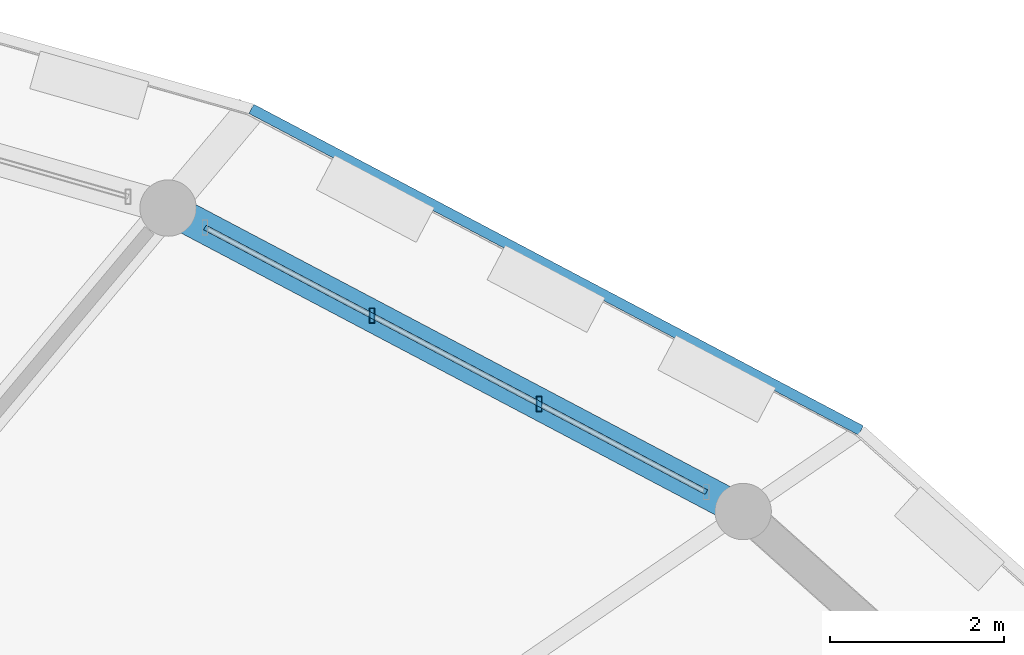
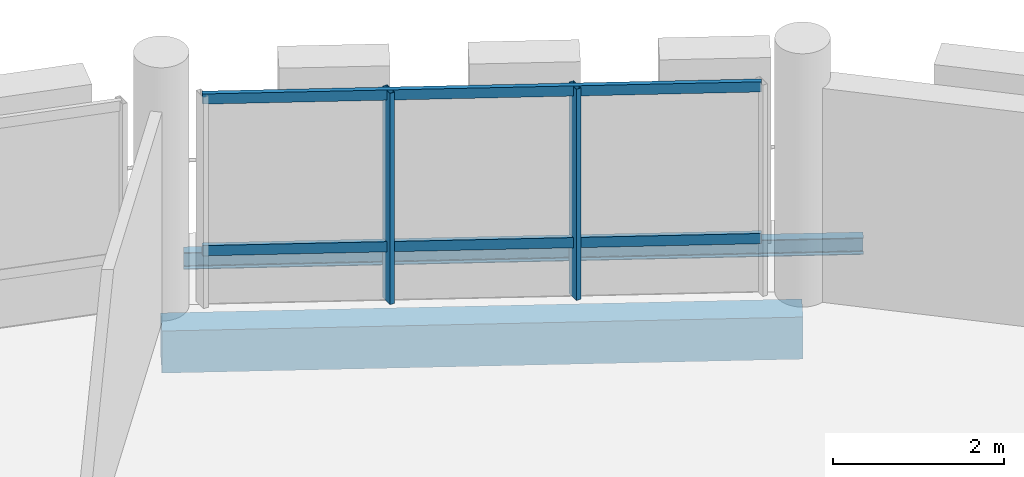
# One storey, part 50 of 93: 4 members, 2 beams, 1 element without a shape of its own.
"""IFC4 building model written with IfcOpenShell, lengths in metres."""

from ifc_helpers import new_model, si_unit, direction, frame, origin, origin_2d, place, context, subcontext, project, spatial, rectangle, hollow_rectangle, i_section, extrude, material, material_profile, profile_set, type_object, element, aggregate, save


model = new_model("IFC4")

# Units and contexts
model_context = context("Model", 3, precision=1e-05, world=origin(), true_north=direction((0.0, 1.0)))
body_context = subcontext(model_context, "Body", "Model", "MODEL_VIEW")
ifc_project = project(units=[si_unit("LENGTHUNIT", "METRE"), si_unit("AREAUNIT", "SQUARE_METRE"), si_unit("VOLUMEUNIT", "CUBIC_METRE"), si_unit("PLANEANGLEUNIT", "RADIAN"), si_unit("MASSUNIT", "GRAM", prefix="KILO")], contexts=[model_context])

# Site, building, storey
site_placement = place(None, origin())
site = spatial("IfcSite", under=ifc_project, at=site_placement, CompositionType="ELEMENT")
building_placement = place(site_placement, origin())
building = spatial("IfcBuilding", under=site, at=building_placement, Name="Zornivar Specialist Clinic", CompositionType="ELEMENT")
storey_placement = place(building_placement, frame((0.0, 0.0, 8.39990234375)))
storey = spatial("IfcBuildingStorey", under=building, at=storey_placement, Name="L02", CompositionType="ELEMENT", Elevation=8.39990234375)

# Beams
ifc_material_1 = material(Name="Concrete C30/37", Category="concrete")
ifc_material_profile_1 = material_profile(ifc_material_1, rectangle(XDim=0.3701171875, YDim=0.60009765625, at=origin_2d()), Name="RC 370x600")
ifc_profile_set_1 = profile_set([ifc_material_profile_1], Name="Concrete C30/37")
beam_type_1 = type_object("IfcBeamType", Name="BM-RC-SPANDREL-370x600", PredefinedType="SPANDREL", material=ifc_profile_set_1)
beam_1_placement = place(storey_placement, frame((116.22705078125, 73.156005859375, -0.539794921875), z_axis=(-0.884411650878, 0.466707651311, 0.0), x_axis=(-0.466707651311, -0.884411650878, 0.0)))
element("IfcBeam", 1, at=beam_1_placement, inside=storey, type_object=beam_type_1, Name="bm:V1:L02:outring:03", PredefinedType="SPANDREL", context=body_context, shape_type="SweptSolid", body=[
    extrude(rectangle(XDim=0.3701171875, YDim=0.60009765625, at=origin_2d()), origin(), (0.0, 0.0, 1.0), 7.4931640625),
])
ifc_material_2 = material(Name="Steel S355J2", Category="steel")
ifc_material_profile_2 = material_profile(ifc_material_2, i_section(OverallWidth=0.1201171875, OverallDepth=0.239990234375, WebThickness=0.006103515625, FlangeThickness=0.009765625, FilletRadius=0.014892578125, at=origin_2d()), Name="IPE 240")
ifc_profile_set_2 = profile_set([ifc_material_profile_2], Name="Steel S355J2")
beam_type_2 = type_object("IfcBeamType", Name="BM-STL-IPE240", PredefinedType="JOIST", material=ifc_profile_set_2)
beam_2_placement = place(storey_placement, frame((117.5849609375, 74.090087890625, -0.35986328125), z_axis=(-0.884477081674, 0.466583638797, 0.0), x_axis=(-0.466583638797, -0.884477081674, 0.0)))
element("IfcBeam", 2, at=beam_2_placement, inside=storey, type_object=beam_type_2, Name="bm:V1:L02:balring:03", PredefinedType="JOIST", context=body_context, shape_type="SweptSolid", body=[
    extrude(i_section(OverallWidth=0.1201171875, OverallDepth=0.239990234375, WebThickness=0.006103515625, FlangeThickness=0.009765625, FilletRadius=0.014892578125, at=origin_2d()), origin(), (0.0, 0.0, 1.0), 7.9423828125),
])

# Curtain wall, members
ifc_material_3 = material(Name="Aluminium and Low-E Glass Curtain Wall", Category="aluminium")
curtain_wall_type = type_object("IfcCurtainWallType", Name="CW-DRUM-FACET", PredefinedType="NOTDEFINED", material=ifc_material_3)
curtain_wall_placement = place(storey_placement, origin())
curtain_wall = element("IfcCurtainWall", 3, at=curtain_wall_placement, inside=storey, type_object=curtain_wall_type, Name="cw:V1:L02:c03", PredefinedType="NOTDEFINED")
ifc_material_4 = material(Name="Aluminium AW-6060", Category="aluminium")
ifc_material_profile_3 = material_profile(ifc_material_4, hollow_rectangle(XDim=0.06494140625, YDim=0.175048828125, WallThickness=0.00439453125, at=origin_2d()), Name="ALU 65x175x4.5")
ifc_profile_set_3 = profile_set([ifc_material_profile_3], Name="Aluminium AW-6060")
member_type_1 = type_object("IfcMemberType", Name="CWM-MUL-175", PredefinedType="MULLION", material=ifc_profile_set_3)
member_1_placement = place(storey_placement, frame((113.8759765625, 74.39599609375, 0.0), z_axis=(0.0, 0.0, 1.0), x_axis=(1.0, 0.0, 0.0)))
member_1 = element("IfcMember", 4, at=member_1_placement, type_object=member_type_1, Name="cw:V1:L02:c03:mul:1", PredefinedType="MULLION", context=body_context, shape_type="SweptSolid", body=[
    extrude(hollow_rectangle(XDim=0.06494140625, YDim=0.175048828125, WallThickness=0.00439453125, at=origin_2d()), origin(), (0.0, 0.0, 1.0), 3.010009765625),
])
member_2_placement = place(storey_placement, frame((111.949951171875, 75.4130859375, 0.0), z_axis=(0.0, 0.0, 1.0), x_axis=(1.0, 0.0, 0.0)))
member_2 = element("IfcMember", 5, at=member_2_placement, type_object=member_type_1, Name="cw:V1:L02:c03:mul:2", PredefinedType="MULLION", context=body_context, shape_type="SweptSolid", body=[
    extrude(hollow_rectangle(XDim=0.06494140625, YDim=0.175048828125, WallThickness=0.00439453125, at=origin_2d()), origin(), (0.0, 0.0, 1.0), 3.010009765625),
])
ifc_material_5 = material(Name="Aluminium AW-6060", Category="aluminium")
ifc_material_profile_4 = material_profile(ifc_material_5, hollow_rectangle(XDim=0.06005859375, YDim=0.14501953125, WallThickness=0.00390625, at=origin_2d()), Name="ALU 60x145x4")
ifc_profile_set_4 = profile_set([ifc_material_profile_4], Name="Aluminium AW-6060")
member_type_2 = type_object("IfcMemberType", Name="CWM-TRN-145", PredefinedType="USERDEFINED", material=ifc_profile_set_4)
member_3_placement = place(storey_placement, frame((115.802978515625, 73.3798828125, 0.783203125), z_axis=(-0.884446868274, 0.466640908195, 0.0), x_axis=(-0.466640908195, -0.884446868274, 0.0)))
member_3 = element("IfcMember", 6, at=member_3_placement, type_object=member_type_2, Name="cw:V1:L02:c03:trn:0", ObjectType="TRANSOM", PredefinedType="USERDEFINED", context=body_context, shape_type="SweptSolid", body=[
    extrude(hollow_rectangle(XDim=0.06005859375, YDim=0.14501953125, WallThickness=0.00390625, at=origin_2d()), origin(), (0.0, 0.0, 1.0), 6.5341796875),
])
member_4_placement = place(storey_placement, frame((115.802978515625, 73.3798828125, 2.945068359375), z_axis=(-0.884446868274, 0.466640908195, 0.0), x_axis=(-0.466640908195, -0.884446868274, 0.0)))
member_4 = element("IfcMember", 7, at=member_4_placement, type_object=member_type_2, Name="cw:V1:L02:c03:trn:1", ObjectType="TRANSOM", PredefinedType="USERDEFINED", context=body_context, shape_type="SweptSolid", body=[
    extrude(hollow_rectangle(XDim=0.06005859375, YDim=0.14501953125, WallThickness=0.00390625, at=origin_2d()), origin(), (0.0, 0.0, 1.0), 6.5341796875),
])
aggregate(curtain_wall, [member_1, member_2, member_3, member_4])

save(model, "model.ifc")
